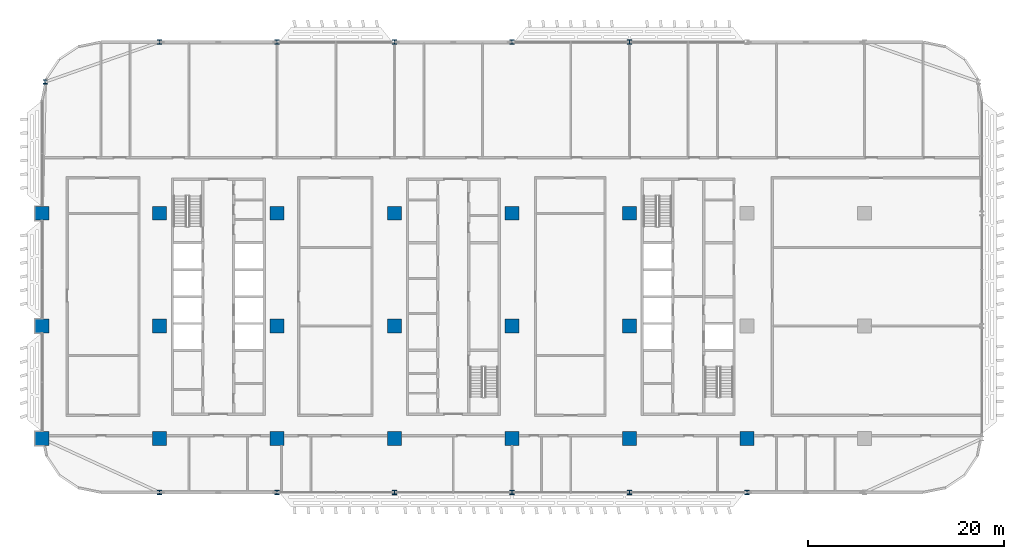
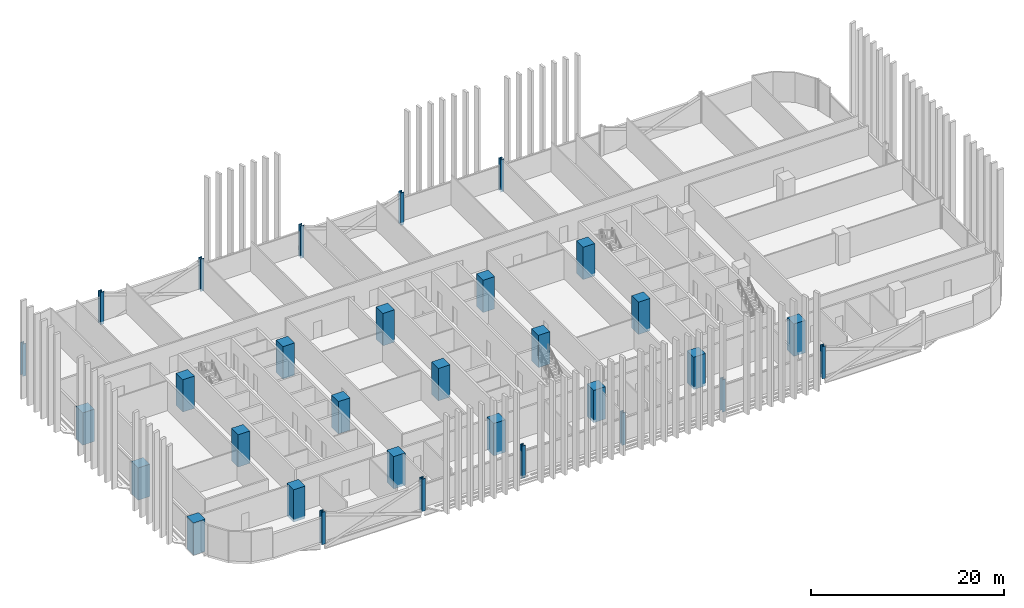
# One storey, part 1 of 31: 31 columns.
"""IFC4 building model written with IfcOpenShell, lengths in metres."""

from ifc_helpers import new_model, si_unit, direction, frame, origin, origin_2d, place, context, subcontext, project, spatial, rectangle, i_section, extrude, material, material_profile, profile_set, type_object, element, save


model = new_model("IFC4")

# Units and contexts
model_context = context("Model", 3, precision=1e-05, world=origin(), true_north=direction((0.0, 1.0)))
body_context = subcontext(model_context, "Body", "Model", "MODEL_VIEW")
ifc_project = project(units=[si_unit("LENGTHUNIT", "METRE"), si_unit("AREAUNIT", "SQUARE_METRE"), si_unit("VOLUMEUNIT", "CUBIC_METRE"), si_unit("PLANEANGLEUNIT", "RADIAN"), si_unit("MASSUNIT", "GRAM", prefix="KILO")], contexts=[model_context])

# Site, building, storey
site_placement = place(None, origin())
site = spatial("IfcSite", under=ifc_project, at=site_placement, CompositionType="ELEMENT")
building_placement = place(site_placement, origin())
building = spatial("IfcBuilding", under=site, at=building_placement, Name="Mahtab Terrace Research Tower", CompositionType="ELEMENT")
storey_placement = place(building_placement, frame((0.0, 0.0, 101.199951171875)))
storey = spatial("IfcBuildingStorey", under=building, at=storey_placement, Name="L23", CompositionType="ELEMENT", Elevation=101.199951171875)

# Columns
ifc_material_1 = material(Name="Concrete C70/85", Category="concrete")
ifc_material_profile_1 = material_profile(ifc_material_1, rectangle(XDim=1.39990234375, YDim=1.39990234375, at=origin_2d()), Name="RC column 1400x1400")
ifc_profile_set_1 = profile_set([ifc_material_profile_1], Name="Concrete C70/85")
column_type_1 = type_object("IfcColumnType", Name="RC column 1400x1400", PredefinedType="COLUMN", material=ifc_profile_set_1)
for number, where, z_axis, x_axis, name in (
    (1, (-42.0, -11.5, -0.33984375), (0.0, 0.0, 1.0), (1.0, 0.0, 0.0), "Column RC-1A L23"),
    (2, (-42.0, 0.0, -0.33984375), (0.0, 0.0, 1.0), (1.0, 0.0, 0.0), "Column RC-1B L23"),
    (3, (-42.0, 11.5, -0.33984375), (0.0, 0.0, 1.0), (1.0, 0.0, 0.0), "Column RC-1C L23"),
    (4, (-30.0, -11.5, -0.33984375), (0.0, 0.0, 1.0), (1.0, 0.0, 0.0), "Column RC-2A L23"),
    (5, (-30.0, 0.0, -0.33984375), (0.0, 0.0, 1.0), (1.0, 0.0, 0.0), "Column RC-2B L23"),
    (6, (-30.0, 11.5, -0.33984375), (0.0, 0.0, 1.0), (1.0, 0.0, 0.0), "Column RC-2C L23"),
    (7, (-18.0, -11.5, -0.33984375), (0.0, 0.0, 1.0), (1.0, 0.0, 0.0), "Column RC-3A L23"),
    (8, (-18.0, 0.0, -0.33984375), (0.0, 0.0, 1.0), (1.0, 0.0, 0.0), "Column RC-3B L23"),
    (9, (-18.0, 11.5, -0.33984375), (0.0, 0.0, 1.0), (1.0, 0.0, 0.0), "Column RC-3C L23"),
    (10, (-6.0, -11.5, -0.33984375), (0.0, 0.0, 1.0), (1.0, 0.0, 0.0), "Column RC-4A L23"),
    (11, (-6.0, 0.0, -0.33984375), (0.0, 0.0, 1.0), (1.0, 0.0, 0.0), "Column RC-4B L23"),
    (12, (-6.0, 11.5, -0.33984375), (0.0, 0.0, 1.0), (1.0, 0.0, 0.0), "Column RC-4C L23"),
    (13, (6.0, -11.5, -0.33984375), (0.0, 0.0, 1.0), (1.0, 0.0, 0.0), "Column RC-5A L23"),
    (14, (6.0, 0.0, -0.33984375), (0.0, 0.0, 1.0), (1.0, 0.0, 0.0), "Column RC-5B L23"),
    (15, (6.0, 11.5, -0.33984375), (0.0, 0.0, 1.0), (1.0, 0.0, 0.0), "Column RC-5C L23"),
    (16, (18.0, -11.5, -0.33984375), (0.0, 0.0, 1.0), (1.0, 0.0, 0.0), "Column RC-6A L23"),
    (17, (18.0, 0.0, -0.33984375), (0.0, 0.0, 1.0), (1.0, 0.0, 0.0), "Column RC-6B L23"),
    (18, (18.0, 11.5, -0.33984375), (0.0, 0.0, 1.0), (1.0, 0.0, 0.0), "Column RC-6C L23"),
    (19, (30.0, -11.5, -0.33984375), (0.0, 0.0, 1.0), (1.0, 0.0, 0.0), "Column RC-7A L23"),
):
    element("IfcColumn", number, at=place(storey_placement, frame(where, z_axis=z_axis, x_axis=x_axis)), inside=storey, type_object=column_type_1, Name=name, PredefinedType="COLUMN", context=body_context, shape_type="SweptSolid", body=[
        extrude(rectangle(XDim=1.39990234375, YDim=1.39990234375, at=origin_2d()), origin(), (0.0, 0.0, 1.0), 4.099853515625),
    ])
ifc_material_2 = material(Name="Steel ASTM A992 Gr 50", Category="steel")
ifc_material_profile_2 = material_profile(ifc_material_2, i_section(OverallWidth=0.419189453125, OverallDepth=0.45458984375, WebThickness=0.042236328125, FlangeThickness=0.067626953125, at=origin_2d()), Name="W14X370")
ifc_profile_set_2 = profile_set([ifc_material_profile_2], Name="Steel ASTM A992 Gr 50")
column_type_2 = type_object("IfcColumnType", Name="W14x370 column CS14370", PredefinedType="COLUMN", material=ifc_profile_set_2)
for number, where, z_axis, x_axis, name in (
    (20, (18.0, 29.0, -0.33984375), (0.0, 0.0, 1.0), (1.0, 0.0, 0.0), "Column SC-033 L23"),
    (21, (6.0, 29.0, -0.33984375), (0.0, 0.0, 1.0), (1.0, 0.0, 0.0), "Column SC-034 L23"),
    (22, (-6.0, 29.0, -0.33984375), (0.0, 0.0, 1.0), (1.0, 0.0, 0.0), "Column SC-035 L23"),
    (23, (-18.0, 29.0, -0.33984375), (0.0, 0.0, 1.0), (1.0, 0.0, 0.0), "Column SC-036 L23"),
    (24, (-30.0, 29.0, -0.33984375), (0.0, 0.0, 1.0), (1.0, 0.0, 0.0), "Column SC-037 L23"),
    (25, (-41.681884765625, 24.927001953125, -0.33984375), (0.0, 0.0, 1.0), (1.0, 0.0, 0.0), "Column SC-038 L23"),
    (26, (-30.0, -17.0, -0.33984375), (0.0, 0.0, 1.0), (1.0, 0.0, 0.0), "Column SC-039 L23"),
    (27, (-18.0, -17.0, -0.33984375), (0.0, 0.0, 1.0), (1.0, 0.0, 0.0), "Column SC-040 L23"),
    (28, (-6.0, -17.0, -0.33984375), (0.0, 0.0, 1.0), (1.0, 0.0, 0.0), "Column SC-041 L23"),
    (29, (6.0, -17.0, -0.33984375), (0.0, 0.0, 1.0), (1.0, 0.0, 0.0), "Column SC-042 L23"),
    (30, (18.0, -17.0, -0.33984375), (0.0, 0.0, 1.0), (1.0, 0.0, 0.0), "Column SC-043 L23"),
    (31, (30.0, -17.0, -0.33984375), (0.0, 0.0, 1.0), (1.0, 0.0, 0.0), "Column SC-044 L23"),
):
    element("IfcColumn", number, at=place(storey_placement, frame(where, z_axis=z_axis, x_axis=x_axis)), inside=storey, type_object=column_type_2, Name=name, PredefinedType="COLUMN", context=body_context, shape_type="SweptSolid", body=[
        extrude(i_section(OverallWidth=0.419189453125, OverallDepth=0.45458984375, WebThickness=0.042236328125, FlangeThickness=0.067626953125, at=origin_2d()), origin(), (0.0, 0.0, 1.0), 4.099853515625),
    ])

save(model, "model.ifc")
